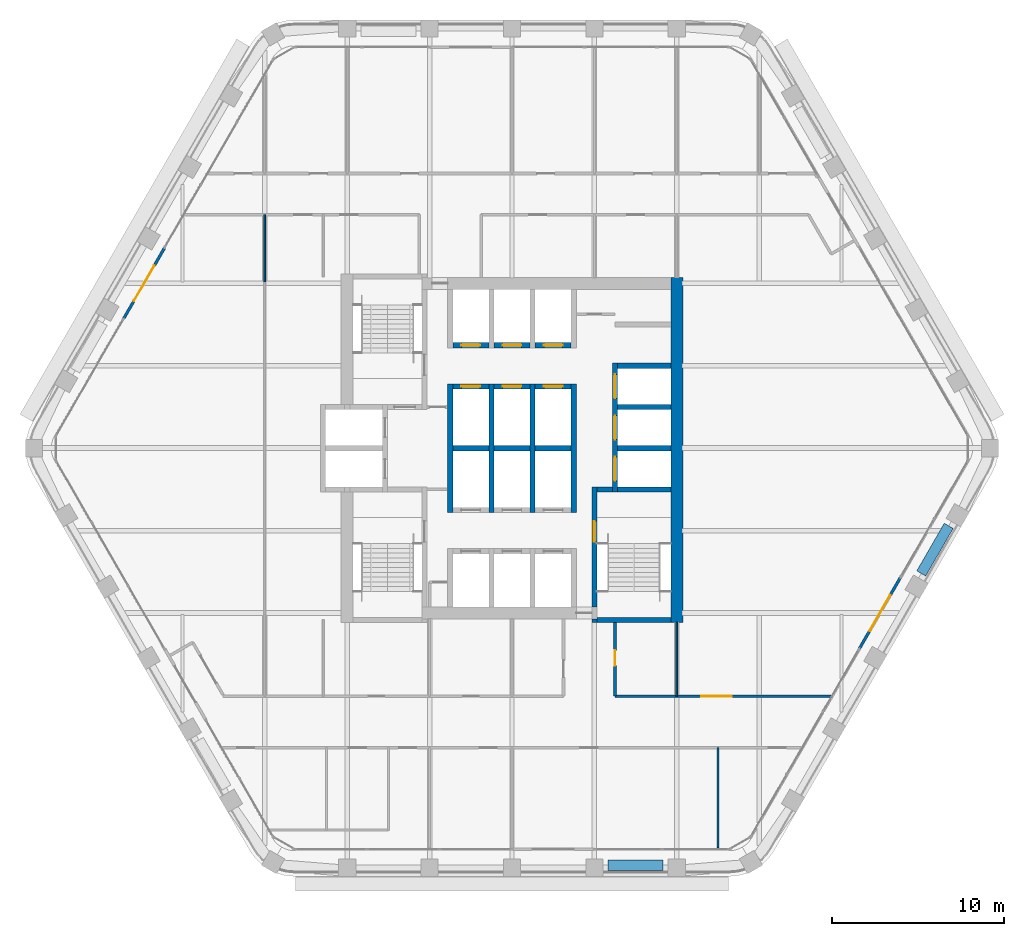
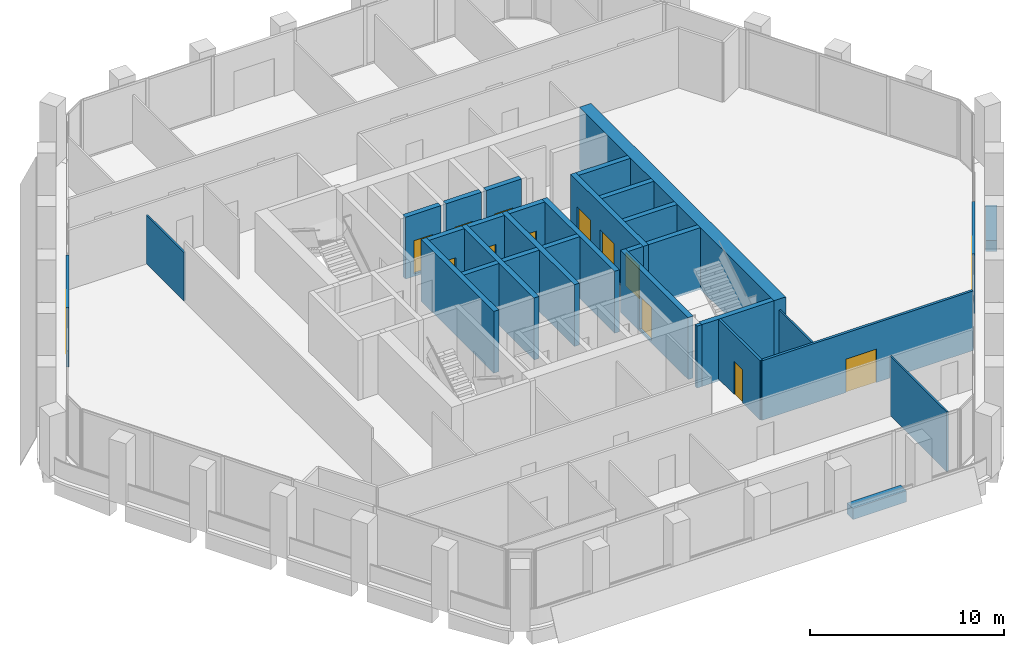
# One storey, part 10 of 15: 32 walls, 14 doors, 14 openings.
"""IFC4 building model written with IfcOpenShell, lengths in metres."""

from ifc_helpers import new_model, si_unit, direction, frame, frame_2d, origin, place, context, subcontext, project, spatial, rectangle, extrude, material, layer, layer_set, type_object, element, fill, save


model = new_model("IFC4")

# Units and contexts
model_context = context("Model", 3, precision=1e-05, world=origin(), true_north=direction((0.0, 1.0)))
body_context = subcontext(model_context, "Body", "Model", "MODEL_VIEW")
ifc_project = project(units=[si_unit("LENGTHUNIT", "METRE"), si_unit("AREAUNIT", "SQUARE_METRE"), si_unit("VOLUMEUNIT", "CUBIC_METRE"), si_unit("PLANEANGLEUNIT", "RADIAN"), si_unit("MASSUNIT", "GRAM", prefix="KILO")], contexts=[model_context])

# Site, building, storey
site_placement = place(None, origin())
site = spatial("IfcSite", under=ifc_project, at=site_placement, CompositionType="ELEMENT")
building_placement = place(site_placement, origin())
building = spatial("IfcBuilding", under=site, at=building_placement, Name="Kolab Exchange Tower", CompositionType="ELEMENT")
storey_placement = place(building_placement, frame((0.0, 0.0, 201.199951171875)))
storey = spatial("IfcBuildingStorey", under=building, at=storey_placement, Name="L43", CompositionType="ELEMENT", Elevation=201.199951171875)

# Wall
ifc_material_1 = material(Name="Concrete C60/75", Category="concrete")
ifc_layer_1 = layer(ifc_material_1, 0.699951171875)
ifc_layer_set_1 = layer_set([ifc_layer_1], Name="Concrete C60/75")
wall_type_1 = type_object("IfcWallType", Name="CORE WALL 700 C60/75", PredefinedType="SHEAR", material=ifc_layer_set_1)
wall_1_placement = place(storey_placement, frame((9.60009765625, -10.14990234375, -0.14990234375), z_axis=(0.0, 0.0, 1.0), x_axis=(0.0, 1.0, 0.0)))
element("IfcWall", 1, at=wall_1_placement, inside=storey, type_object=wall_type_1, Name="wall/L43/core/058", PredefinedType="SHEAR", context=body_context, shape_type="SweptSolid", body=[
    extrude(rectangle(XDim=20.099853515625, YDim=0.699951171875, at=frame_2d((10.0498046875, 0.0))), origin(), (0.0, 0.0, 1.0), 3.89990234375),
])

# Wall, opening, door
ifc_material_2 = material(Name="Aluminium EN AW-6063 T6", Category="aluminium")
ifc_layer_2 = layer(ifc_material_2, 0.159912109375)
ifc_layer_set_2 = layer_set([ifc_layer_2], Name="Aluminium EN AW-6063 T6")
wall_type_2 = type_object("IfcWallType", Name="DOOR SURROUND WALL 160 ALUMINIUM FRAMED", PredefinedType="PARTITIONING", material=ifc_layer_set_2)
wall_2_placement = place(storey_placement, frame((22.61669921875, -7.5498046875, 0.0), z_axis=(0.0, 0.0, 1.0), x_axis=(-0.5000167099, -0.866015756104, 0.0)))
wall_2 = element("IfcWall", 2, at=wall_2_placement, inside=storey, type_object=wall_type_2, Name="Door surround wall", PredefinedType="PARTITIONING", context=body_context, shape_type="SweptSolid", body=[
    extrude(rectangle(XDim=4.739990234375, YDim=0.159912109375, at=frame_2d((2.3701171875, 0.0))), origin(), (0.0, 0.0, 1.0), 3.75),
])
opening_1_placement = place(wall_2_placement, frame((1.169921875, 0.0, 0.0)))
opening_1 = element("IfcOpeningElement", 3, at=opening_1_placement, cuts=wall_2, Name="Opening GD1-066", PredefinedType="OPENING", context=body_context, shape_type="SweptSolid", body=[
    extrude(rectangle(XDim=2.39990234375, YDim=2.39990234375, at=frame_2d((1.199951171875, 1.199951171875))), frame((0.0, 0.08984375, 0.0), z_axis=(0.0, -1.0, 0.0), x_axis=(1.0, 0.0, 0.0)), (0.0, 0.0, 1.0), 0.179931640625),
])
door_type_1 = type_object("IfcDoorType", Name="LOGGIA SLIDING GLASS DOOR 2400 X 2400", OperationType="DOUBLE_DOOR_SINGLE_SWING", PredefinedType="DOOR", material=ifc_material_2)
door_1_placement = place(opening_1_placement, origin())
door_1 = element("IfcDoor", 4, at=door_1_placement, inside=storey, type_object=door_type_1, Name="Loggia door", OperationType="DOUBLE_DOOR_SLIDING", OverallHeight=2.39990234375, OverallWidth=2.39990234375, PredefinedType="DOOR", context=body_context, shape_type="SweptSolid", body=[
    extrude(rectangle(XDim=2.39990234375, YDim=2.39990234375, at=frame_2d((1.199951171875, 1.199951171875))), frame((0.0, 0.02490234375, 0.0), z_axis=(0.0, -1.0, 0.0), x_axis=(1.0, 0.0, 0.0)), (0.0, 0.0, 1.0), 0.050048828125),
])
fill(opening_1, door_1)

wall_3_placement = place(storey_placement, frame((-22.61669921875, 7.5498046875, 0.0), z_axis=(0.0, 0.0, 1.0), x_axis=(0.5000167099, 0.866015756104, 0.0)))
wall_3 = element("IfcWall", 5, at=wall_3_placement, inside=storey, type_object=wall_type_2, Name="Door surround wall", PredefinedType="PARTITIONING", context=body_context, shape_type="SweptSolid", body=[
    extrude(rectangle(XDim=4.739990234375, YDim=0.159912109375, at=frame_2d((2.3701171875, 0.0))), origin(), (0.0, 0.0, 1.0), 3.75),
])
opening_2_placement = place(wall_3_placement, frame((1.169921875, 0.0, 0.0)))
opening_2 = element("IfcOpeningElement", 6, at=opening_2_placement, cuts=wall_3, Name="Opening GD1-069", PredefinedType="OPENING", context=body_context, shape_type="SweptSolid", body=[
    extrude(rectangle(XDim=2.39990234375, YDim=2.39990234375, at=frame_2d((1.199951171875, 1.199951171875))), frame((0.0, 0.08984375, 0.0), z_axis=(0.0, -1.0, 0.0), x_axis=(1.0, 0.0, 0.0)), (0.0, 0.0, 1.0), 0.179931640625),
])
door_2_placement = place(opening_2_placement, origin())
door_2 = element("IfcDoor", 7, at=door_2_placement, inside=storey, type_object=door_type_1, Name="Loggia door", OperationType="DOUBLE_DOOR_SLIDING", OverallHeight=2.39990234375, OverallWidth=2.39990234375, PredefinedType="DOOR", context=body_context, shape_type="SweptSolid", body=[
    extrude(rectangle(XDim=2.39990234375, YDim=2.39990234375, at=frame_2d((1.199951171875, 1.199951171875))), frame((0.0, 0.02490234375, 0.0), z_axis=(0.0, -1.0, 0.0), x_axis=(1.0, 0.0, 0.0)), (0.0, 0.0, 1.0), 0.050048828125),
])
fill(opening_2, door_2)

# Walls
ifc_material_3 = material(Name="Concrete C50/60", Category="concrete")
ifc_layer_3 = layer(ifc_material_3, 0.300048828125)
ifc_layer_set_3 = layer_set([ifc_layer_3], Name="Concrete C50/60")
wall_type_3 = type_object("IfcWallType", Name="LIFT SHAFT WALL 300 C50/60", PredefinedType="STANDARD", material=ifc_layer_set_3)
wall_4_placement = place(storey_placement, frame((-3.449951171875, 0.0, -0.14990234375), z_axis=(0.0, 0.0, 1.0), x_axis=(1.0, 0.0, 0.0)))
element("IfcWall", 8, at=wall_4_placement, inside=storey, type_object=wall_type_3, Name="wall/L43/core/015", PredefinedType="STANDARD", context=body_context, shape_type="SweptSolid", body=[
    extrude(rectangle(XDim=2.099853515625, YDim=0.300048828125, at=frame_2d((1.0498046875, 0.0))), origin(), (0.0, 0.0, 1.0), 3.89990234375),
])
wall_5_placement = place(storey_placement, frame((-1.050048828125, 0.0, -0.14990234375), z_axis=(0.0, 0.0, 1.0), x_axis=(1.0, 0.0, 0.0)))
element("IfcWall", 9, at=wall_5_placement, inside=storey, type_object=wall_type_3, Name="wall/L43/core/016", PredefinedType="STANDARD", context=body_context, shape_type="SweptSolid", body=[
    extrude(rectangle(XDim=2.10009765625, YDim=0.300048828125, at=frame_2d((1.050048828125, 0.0))), origin(), (0.0, 0.0, 1.0), 3.89990234375),
])
wall_6_placement = place(storey_placement, frame((1.35009765625, 0.0, -0.14990234375), z_axis=(0.0, 0.0, 1.0), x_axis=(1.0, 0.0, 0.0)))
element("IfcWall", 10, at=wall_6_placement, inside=storey, type_object=wall_type_3, Name="wall/L43/core/017", PredefinedType="STANDARD", context=body_context, shape_type="SweptSolid", body=[
    extrude(rectangle(XDim=2.099853515625, YDim=0.300048828125, at=frame_2d((1.0498046875, 0.0))), origin(), (0.0, 0.0, 1.0), 3.89990234375),
])
for number, where, z_axis, x_axis, name in (
    (11, (6.14990234375, 0.0, -0.14990234375), (0.0, 0.0, 1.0), (1.0, 0.0, 0.0), "wall/L43/core/018"),
    (12, (6.14990234375, 2.39990234375, -0.14990234375), (0.0, 0.0, 1.0), (1.0, 0.0, 0.0), "wall/L43/core/022"),
):
    element("IfcWall", number, at=place(storey_placement, frame(where, z_axis=z_axis, x_axis=x_axis)), inside=storey, type_object=wall_type_3, Name=name, PredefinedType="STANDARD", context=body_context, shape_type="SweptSolid", body=[
        extrude(rectangle(XDim=3.10009765625, YDim=0.300048828125, at=frame_2d((1.550048828125, 0.0))), origin(), (0.0, 0.0, 1.0), 3.89990234375),
    ])

# Wall, opening, door
wall_7_placement = place(storey_placement, frame((-3.449951171875, 3.60009765625, -0.14990234375), z_axis=(0.0, 0.0, 1.0), x_axis=(1.0, 0.0, 0.0)))
wall_7 = element("IfcWall", 13, at=wall_7_placement, inside=storey, type_object=wall_type_3, Name="wall/L43/core/023", PredefinedType="STANDARD", context=body_context, shape_type="SweptSolid", body=[
    extrude(rectangle(XDim=2.099853515625, YDim=0.300048828125, at=frame_2d((1.0498046875, 0.0))), origin(), (0.0, 0.0, 1.0), 3.89990234375),
])
opening_3_placement = place(wall_7_placement, frame((0.5, 0.0, 0.14990234375)))
opening_3 = element("IfcOpeningElement", 14, at=opening_3_placement, cuts=wall_7, Name="Opening LD1-115", PredefinedType="OPENING", context=body_context, shape_type="SweptSolid", body=[
    extrude(rectangle(XDim=1.10009765625, YDim=2.10009765625, at=frame_2d((0.550048828125, 1.050048828125))), frame((0.0, 0.16015625, 0.0), z_axis=(0.0, -1.0, 0.0), x_axis=(1.0, 0.0, 0.0)), (0.0, 0.0, 1.0), 0.320068359375),
])
ifc_material_4 = material(Name="Stainless steel 316", Category="steel")
door_type_2 = type_object("IfcDoorType", Name="LANDING DOOR 1100 PASSENGER", OperationType="DOUBLE_DOOR_SLIDING", PredefinedType="DOOR", material=ifc_material_4)
door_3_placement = place(opening_3_placement, origin())
door_3 = element("IfcDoor", 15, at=door_3_placement, inside=storey, type_object=door_type_2, Name="Landing door HR4", OperationType="DOUBLE_DOOR_SLIDING", OverallHeight=2.10009765625, OverallWidth=1.10009765625, PredefinedType="DOOR", context=body_context, shape_type="SweptSolid", body=[
    extrude(rectangle(XDim=1.10009765625, YDim=2.10009765625, at=frame_2d((0.550048828125, 1.050048828125))), frame((0.0, 0.02490234375, 0.0), z_axis=(0.0, -1.0, 0.0), x_axis=(1.0, 0.0, 0.0)), (0.0, 0.0, 1.0), 0.050048828125),
])
fill(opening_3, door_3)

wall_8_placement = place(storey_placement, frame((-1.050048828125, 3.60009765625, -0.14990234375), z_axis=(0.0, 0.0, 1.0), x_axis=(1.0, 0.0, 0.0)))
wall_8 = element("IfcWall", 16, at=wall_8_placement, inside=storey, type_object=wall_type_3, Name="wall/L43/core/024", PredefinedType="STANDARD", context=body_context, shape_type="SweptSolid", body=[
    extrude(rectangle(XDim=2.10009765625, YDim=0.300048828125, at=frame_2d((1.050048828125, 0.0))), origin(), (0.0, 0.0, 1.0), 3.89990234375),
])
opening_4_placement = place(wall_8_placement, frame((0.5, 0.0, 0.14990234375)))
opening_4 = element("IfcOpeningElement", 17, at=opening_4_placement, cuts=wall_8, Name="Opening LD1-116", PredefinedType="OPENING", context=body_context, shape_type="SweptSolid", body=[
    extrude(rectangle(XDim=1.10009765625, YDim=2.10009765625, at=frame_2d((0.550048828125, 1.050048828125))), frame((0.0, 0.16015625, 0.0), z_axis=(0.0, -1.0, 0.0), x_axis=(1.0, 0.0, 0.0)), (0.0, 0.0, 1.0), 0.320068359375),
])
door_4_placement = place(opening_4_placement, origin())
door_4 = element("IfcDoor", 18, at=door_4_placement, inside=storey, type_object=door_type_2, Name="Landing door HR5", OperationType="DOUBLE_DOOR_SLIDING", OverallHeight=2.10009765625, OverallWidth=1.10009765625, PredefinedType="DOOR", context=body_context, shape_type="SweptSolid", body=[
    extrude(rectangle(XDim=1.10009765625, YDim=2.10009765625, at=frame_2d((0.550048828125, 1.050048828125))), frame((0.0, 0.02490234375, 0.0), z_axis=(0.0, -1.0, 0.0), x_axis=(1.0, 0.0, 0.0)), (0.0, 0.0, 1.0), 0.050048828125),
])
fill(opening_4, door_4)

wall_9_placement = place(storey_placement, frame((1.35009765625, 3.60009765625, -0.14990234375), z_axis=(0.0, 0.0, 1.0), x_axis=(1.0, 0.0, 0.0)))
wall_9 = element("IfcWall", 19, at=wall_9_placement, inside=storey, type_object=wall_type_3, Name="wall/L43/core/025", PredefinedType="STANDARD", context=body_context, shape_type="SweptSolid", body=[
    extrude(rectangle(XDim=2.099853515625, YDim=0.300048828125, at=frame_2d((1.0498046875, 0.0))), origin(), (0.0, 0.0, 1.0), 3.89990234375),
])
opening_5_placement = place(wall_9_placement, frame((0.5, 0.0, 0.14990234375)))
opening_5 = element("IfcOpeningElement", 20, at=opening_5_placement, cuts=wall_9, Name="Opening LD1-117", PredefinedType="OPENING", context=body_context, shape_type="SweptSolid", body=[
    extrude(rectangle(XDim=1.10009765625, YDim=2.10009765625, at=frame_2d((0.550048828125, 1.050048828125))), frame((0.0, 0.16015625, 0.0), z_axis=(0.0, -1.0, 0.0), x_axis=(1.0, 0.0, 0.0)), (0.0, 0.0, 1.0), 0.320068359375),
])
door_5_placement = place(opening_5_placement, origin())
door_5 = element("IfcDoor", 21, at=door_5_placement, inside=storey, type_object=door_type_2, Name="Landing door HR6", OperationType="DOUBLE_DOOR_SLIDING", OverallHeight=2.10009765625, OverallWidth=1.10009765625, PredefinedType="DOOR", context=body_context, shape_type="SweptSolid", body=[
    extrude(rectangle(XDim=1.10009765625, YDim=2.10009765625, at=frame_2d((0.550048828125, 1.050048828125))), frame((0.0, 0.02490234375, 0.0), z_axis=(0.0, -1.0, 0.0), x_axis=(1.0, 0.0, 0.0)), (0.0, 0.0, 1.0), 0.050048828125),
])
fill(opening_5, door_5)

# Wall
wall_10_placement = place(storey_placement, frame((6.14990234375, 4.800048828125, -0.14990234375), z_axis=(0.0, 0.0, 1.0), x_axis=(1.0, 0.0, 0.0)))
element("IfcWall", 22, at=wall_10_placement, inside=storey, type_object=wall_type_3, Name="wall/L43/core/026", PredefinedType="STANDARD", context=body_context, shape_type="SweptSolid", body=[
    extrude(rectangle(XDim=3.10009765625, YDim=0.300048828125, at=frame_2d((1.550048828125, 0.0))), origin(), (0.0, 0.0, 1.0), 3.89990234375),
])

# Wall, opening, door
wall_11_placement = place(storey_placement, frame((-3.449951171875, 6.0, -0.14990234375), z_axis=(0.0, 0.0, 1.0), x_axis=(1.0, 0.0, 0.0)))
wall_11 = element("IfcWall", 23, at=wall_11_placement, inside=storey, type_object=wall_type_3, Name="wall/L43/core/027", PredefinedType="STANDARD", context=body_context, shape_type="SweptSolid", body=[
    extrude(rectangle(XDim=2.099853515625, YDim=0.300048828125, at=frame_2d((1.0498046875, 0.0))), origin(), (0.0, 0.0, 1.0), 3.89990234375),
])
opening_6_placement = place(wall_11_placement, frame((0.5, 0.0, 0.14990234375)))
opening_6 = element("IfcOpeningElement", 24, at=opening_6_placement, cuts=wall_11, Name="Opening LD1-109", PredefinedType="OPENING", context=body_context, shape_type="SweptSolid", body=[
    extrude(rectangle(XDim=1.10009765625, YDim=2.10009765625, at=frame_2d((0.550048828125, 1.050048828125))), frame((0.0, 0.16015625, 0.0), z_axis=(0.0, -1.0, 0.0), x_axis=(1.0, 0.0, 0.0)), (0.0, 0.0, 1.0), 0.320068359375),
])
door_6_placement = place(opening_6_placement, origin())
door_6 = element("IfcDoor", 25, at=door_6_placement, inside=storey, type_object=door_type_2, Name="Landing door HR1", OperationType="DOUBLE_DOOR_SLIDING", OverallHeight=2.10009765625, OverallWidth=1.10009765625, PredefinedType="DOOR", context=body_context, shape_type="SweptSolid", body=[
    extrude(rectangle(XDim=1.10009765625, YDim=2.10009765625, at=frame_2d((0.550048828125, 1.050048828125))), frame((0.0, 0.02490234375, 0.0), z_axis=(0.0, -1.0, 0.0), x_axis=(1.0, 0.0, 0.0)), (0.0, 0.0, 1.0), 0.050048828125),
])
fill(opening_6, door_6)

wall_12_placement = place(storey_placement, frame((-1.050048828125, 6.0, -0.14990234375), z_axis=(0.0, 0.0, 1.0), x_axis=(1.0, 0.0, 0.0)))
wall_12 = element("IfcWall", 26, at=wall_12_placement, inside=storey, type_object=wall_type_3, Name="wall/L43/core/028", PredefinedType="STANDARD", context=body_context, shape_type="SweptSolid", body=[
    extrude(rectangle(XDim=2.10009765625, YDim=0.300048828125, at=frame_2d((1.050048828125, 0.0))), origin(), (0.0, 0.0, 1.0), 3.89990234375),
])
opening_7_placement = place(wall_12_placement, frame((0.5, 0.0, 0.14990234375)))
opening_7 = element("IfcOpeningElement", 27, at=opening_7_placement, cuts=wall_12, Name="Opening LD1-113", PredefinedType="OPENING", context=body_context, shape_type="SweptSolid", body=[
    extrude(rectangle(XDim=1.10009765625, YDim=2.10009765625, at=frame_2d((0.550048828125, 1.050048828125))), frame((0.0, 0.16015625, 0.0), z_axis=(0.0, -1.0, 0.0), x_axis=(1.0, 0.0, 0.0)), (0.0, 0.0, 1.0), 0.320068359375),
])
door_7_placement = place(opening_7_placement, origin())
door_7 = element("IfcDoor", 28, at=door_7_placement, inside=storey, type_object=door_type_2, Name="Landing door HR2", OperationType="DOUBLE_DOOR_SLIDING", OverallHeight=2.10009765625, OverallWidth=1.10009765625, PredefinedType="DOOR", context=body_context, shape_type="SweptSolid", body=[
    extrude(rectangle(XDim=1.10009765625, YDim=2.10009765625, at=frame_2d((0.550048828125, 1.050048828125))), frame((0.0, 0.02490234375, 0.0), z_axis=(0.0, -1.0, 0.0), x_axis=(1.0, 0.0, 0.0)), (0.0, 0.0, 1.0), 0.050048828125),
])
fill(opening_7, door_7)

wall_13_placement = place(storey_placement, frame((1.35009765625, 6.0, -0.14990234375), z_axis=(0.0, 0.0, 1.0), x_axis=(1.0, 0.0, 0.0)))
wall_13 = element("IfcWall", 29, at=wall_13_placement, inside=storey, type_object=wall_type_3, Name="wall/L43/core/029", PredefinedType="STANDARD", context=body_context, shape_type="SweptSolid", body=[
    extrude(rectangle(XDim=2.099853515625, YDim=0.300048828125, at=frame_2d((1.0498046875, 0.0))), origin(), (0.0, 0.0, 1.0), 3.89990234375),
])
opening_8_placement = place(wall_13_placement, frame((0.5, 0.0, 0.14990234375)))
opening_8 = element("IfcOpeningElement", 30, at=opening_8_placement, cuts=wall_13, Name="Opening LD1-114", PredefinedType="OPENING", context=body_context, shape_type="SweptSolid", body=[
    extrude(rectangle(XDim=1.10009765625, YDim=2.10009765625, at=frame_2d((0.550048828125, 1.050048828125))), frame((0.0, 0.16015625, 0.0), z_axis=(0.0, -1.0, 0.0), x_axis=(1.0, 0.0, 0.0)), (0.0, 0.0, 1.0), 0.320068359375),
])
door_8_placement = place(opening_8_placement, origin())
door_8 = element("IfcDoor", 31, at=door_8_placement, inside=storey, type_object=door_type_2, Name="Landing door HR3", OperationType="DOUBLE_DOOR_SLIDING", OverallHeight=2.10009765625, OverallWidth=1.10009765625, PredefinedType="DOOR", context=body_context, shape_type="SweptSolid", body=[
    extrude(rectangle(XDim=1.10009765625, YDim=2.10009765625, at=frame_2d((0.550048828125, 1.050048828125))), frame((0.0, 0.02490234375, 0.0), z_axis=(0.0, -1.0, 0.0), x_axis=(1.0, 0.0, 0.0)), (0.0, 0.0, 1.0), 0.050048828125),
])
fill(opening_8, door_8)

# Walls
for number, where, z_axis, x_axis, name in (
    (32, (-3.60009765625, -3.75, -0.14990234375), (0.0, 0.0, 1.0), (0.0, 1.0, 0.0), "wall/L43/core/044"),
    (33, (-1.199951171875, -3.75, -0.14990234375), (0.0, 0.0, 1.0), (0.0, 1.0, 0.0), "wall/L43/core/047"),
    (34, (1.199951171875, -3.75, -0.14990234375), (0.0, 0.0, 1.0), (0.0, 1.0, 0.0), "wall/L43/core/050"),
    (35, (3.60009765625, -3.75, -0.14990234375), (0.0, 0.0, 1.0), (0.0, 1.0, 0.0), "wall/L43/core/053"),
):
    element("IfcWall", number, at=place(storey_placement, frame(where, z_axis=z_axis, x_axis=x_axis)), inside=storey, type_object=wall_type_3, Name=name, PredefinedType="STANDARD", context=body_context, shape_type="SweptSolid", body=[
        extrude(rectangle(XDim=7.5, YDim=0.300048828125, at=frame_2d((3.75, 0.0))), origin(), (0.0, 0.0, 1.0), 3.89990234375),
    ])

# Wall, openings, doors
wall_14_placement = place(storey_placement, frame((6.0, -2.550048828125, -0.14990234375), z_axis=(0.0, 0.0, 1.0), x_axis=(0.0, 1.0, 0.0)))
wall_14 = element("IfcWall", 36, at=wall_14_placement, inside=storey, type_object=wall_type_3, Name="wall/L43/core/057", PredefinedType="STANDARD", context=body_context, shape_type="SweptSolid", body=[
    extrude(rectangle(XDim=7.5, YDim=0.300048828125, at=frame_2d((3.75, 0.0))), origin(), (0.0, 0.0, 1.0), 3.89990234375),
])
opening_9_placement = place(wall_14_placement, frame((0.64990234375, 0.0, 0.14990234375)))
opening_9 = element("IfcOpeningElement", 37, at=opening_9_placement, cuts=wall_14, Name="Opening LD3-037", PredefinedType="OPENING", context=body_context, shape_type="SweptSolid", body=[
    extrude(rectangle(XDim=1.39990234375, YDim=2.10009765625, at=frame_2d((0.699951171875, 1.050048828125))), frame((0.0, 0.16015625, 0.0), z_axis=(0.0, -1.0, 0.0), x_axis=(1.0, 0.0, 0.0)), (0.0, 0.0, 1.0), 0.320068359375),
])
opening_10_placement = place(wall_14_placement, frame((3.050048828125, 0.0, 0.14990234375)))
opening_10 = element("IfcOpeningElement", 38, at=opening_10_placement, cuts=wall_14, Name="Opening LD3-038", PredefinedType="OPENING", context=body_context, shape_type="SweptSolid", body=[
    extrude(rectangle(XDim=1.39990234375, YDim=2.10009765625, at=frame_2d((0.699951171875, 1.050048828125))), frame((0.0, 0.16015625, 0.0), z_axis=(0.0, -1.0, 0.0), x_axis=(1.0, 0.0, 0.0)), (0.0, 0.0, 1.0), 0.320068359375),
])
opening_11_placement = place(wall_14_placement, frame((5.449951171875, 0.0, 0.14990234375)))
opening_11 = element("IfcOpeningElement", 39, at=opening_11_placement, cuts=wall_14, Name="Opening LD3-039", PredefinedType="OPENING", context=body_context, shape_type="SweptSolid", body=[
    extrude(rectangle(XDim=1.39990234375, YDim=2.10009765625, at=frame_2d((0.699951171875, 1.050048828125))), frame((0.0, 0.16015625, 0.0), z_axis=(0.0, -1.0, 0.0), x_axis=(1.0, 0.0, 0.0)), (0.0, 0.0, 1.0), 0.320068359375),
])
door_type_3 = type_object("IfcDoorType", Name="LANDING DOOR 1400 SERVICE", OperationType="DOUBLE_DOOR_SLIDING", PredefinedType="DOOR", material=ifc_material_4)
door_9_placement = place(opening_9_placement, origin())
door_9 = element("IfcDoor", 40, at=door_9_placement, inside=storey, type_object=door_type_3, Name="Landing door SV1", OperationType="DOUBLE_DOOR_SLIDING", OverallHeight=2.10009765625, OverallWidth=1.39990234375, PredefinedType="DOOR", context=body_context, shape_type="SweptSolid", body=[
    extrude(rectangle(XDim=1.39990234375, YDim=2.10009765625, at=frame_2d((0.699951171875, 1.050048828125))), frame((0.0, 0.02490234375, 0.0), z_axis=(0.0, -1.0, 0.0), x_axis=(1.0, 0.0, 0.0)), (0.0, 0.0, 1.0), 0.050048828125),
])
fill(opening_9, door_9)
door_10_placement = place(opening_10_placement, origin())
door_10 = element("IfcDoor", 41, at=door_10_placement, inside=storey, type_object=door_type_3, Name="Landing door SV2", OperationType="DOUBLE_DOOR_SLIDING", OverallHeight=2.10009765625, OverallWidth=1.39990234375, PredefinedType="DOOR", context=body_context, shape_type="SweptSolid", body=[
    extrude(rectangle(XDim=1.39990234375, YDim=2.10009765625, at=frame_2d((0.699951171875, 1.050048828125))), frame((0.0, 0.02490234375, 0.0), z_axis=(0.0, -1.0, 0.0), x_axis=(1.0, 0.0, 0.0)), (0.0, 0.0, 1.0), 0.050048828125),
])
fill(opening_10, door_10)
door_11_placement = place(opening_11_placement, origin())
door_11 = element("IfcDoor", 42, at=door_11_placement, inside=storey, type_object=door_type_3, Name="Landing door SV3", OperationType="DOUBLE_DOOR_SLIDING", OverallHeight=2.10009765625, OverallWidth=1.39990234375, PredefinedType="DOOR", context=body_context, shape_type="SweptSolid", body=[
    extrude(rectangle(XDim=1.39990234375, YDim=2.10009765625, at=frame_2d((0.699951171875, 1.050048828125))), frame((0.0, 0.02490234375, 0.0), z_axis=(0.0, -1.0, 0.0), x_axis=(1.0, 0.0, 0.0)), (0.0, 0.0, 1.0), 0.050048828125),
])
fill(opening_11, door_11)

# Walls
ifc_material_5 = material(Name="Gypsum board", Category="gypsum")
ifc_layer_4 = layer(ifc_material_5, 0.10009765625)
ifc_layer_set_4 = layer_set([ifc_layer_4], Name="Gypsum board")
wall_type_4 = type_object("IfcWallType", Name="PARTITION 100", PredefinedType="PARTITIONING", material=ifc_layer_set_4)
wall_15_placement = place(storey_placement, frame((12.0, -23.271484375, 0.0), z_axis=(0.0, 0.0, 1.0), x_axis=(0.0, 1.0, 0.0)))
element("IfcWall", 43, at=wall_15_placement, inside=storey, type_object=wall_type_4, Name="Partition 001", PredefinedType="PARTITIONING", context=body_context, shape_type="SweptSolid", body=[
    extrude(rectangle(XDim=5.830078125, YDim=0.10009765625, at=frame_2d((2.9150390625, 0.0))), origin(), (0.0, 0.0, 1.0), 3.75),
])
wall_16_placement = place(storey_placement, frame((9.60009765625, -14.44140625, 0.0), z_axis=(0.0, 0.0, 1.0), x_axis=(0.0, 1.0, 0.0)))
element("IfcWall", 44, at=wall_16_placement, inside=storey, type_object=wall_type_4, Name="Partition 002", PredefinedType="PARTITIONING", context=body_context, shape_type="SweptSolid", body=[
    extrude(rectangle(XDim=4.29150390625, YDim=0.10009765625, at=frame_2d((2.145751953125, 0.0))), origin(), (0.0, 0.0, 1.0), 3.066162109375),
])
wall_17_placement = place(storey_placement, frame((-14.39990234375, 9.693603515625, 0.0), z_axis=(0.0, 0.0, 1.0), x_axis=(0.0, 1.0, 0.0)))
element("IfcWall", 45, at=wall_17_placement, inside=storey, type_object=wall_type_4, Name="Partition 022", PredefinedType="PARTITIONING", context=body_context, shape_type="SweptSolid", body=[
    extrude(rectangle(XDim=3.906494140625, YDim=0.10009765625, at=frame_2d((1.953125, 0.0))), origin(), (0.0, 0.0, 1.0), 3.066162109375),
])

# Wall, opening, door
ifc_layer_5 = layer(ifc_material_5, 0.14990234375)
ifc_layer_set_5 = layer_set([ifc_layer_5], Name="Gypsum board")
wall_type_5 = type_object("IfcWallType", Name="PARTITION 150 FIRE-RATED", PredefinedType="PARTITIONING", material=ifc_layer_set_5)
wall_18_placement = place(storey_placement, frame((6.0, -14.44140625, 0.0), z_axis=(0.0, 0.0, 1.0), x_axis=(0.0, 1.0, 0.0)))
wall_18 = element("IfcWall", 46, at=wall_18_placement, inside=storey, type_object=wall_type_5, Name="Partition 005", PredefinedType="PARTITIONING", context=body_context, shape_type="SweptSolid", body=[
    extrude(rectangle(XDim=4.29150390625, YDim=0.14990234375, at=frame_2d((2.145751953125, 0.0))), origin(), (0.0, 0.0, 1.0), 3.75),
])
opening_12_placement = place(wall_18_placement, frame((1.770751953125, 0.0, 0.0)))
opening_12 = element("IfcOpeningElement", 47, at=opening_12_placement, cuts=wall_18, Name="Opening D3-063", PredefinedType="OPENING", context=body_context, shape_type="SweptSolid", body=[
    extrude(rectangle(XDim=0.89990234375, YDim=2.10009765625, at=frame_2d((0.449951171875, 1.050048828125))), frame((0.0, 0.0849609375, 0.0), z_axis=(0.0, -1.0, 0.0), x_axis=(1.0, 0.0, 0.0)), (0.0, 0.0, 1.0), 0.169921875),
])
ifc_material_6 = material(Name="Steel S235", Category="steel")
door_type_4 = type_object("IfcDoorType", Name="FLUSH DOOR 900 FD60", OperationType="SINGLE_SWING_LEFT", PredefinedType="DOOR", material=ifc_material_6)
door_12_placement = place(opening_12_placement, frame((0.89990234375, 0.0, 0.0), z_axis=(0.0, 0.0, 1.0), x_axis=(-1.0, 0.0, 0.0)))
door_12 = element("IfcDoor", 48, at=door_12_placement, inside=storey, type_object=door_type_4, Name="Door L43-034", OperationType="SINGLE_SWING_RIGHT", OverallHeight=2.10009765625, OverallWidth=0.89990234375, PredefinedType="DOOR", context=body_context, shape_type="SweptSolid", body=[
    extrude(rectangle(XDim=0.89990234375, YDim=2.10009765625, at=frame_2d((0.449951171875, 1.050048828125))), frame((0.0, 0.02490234375, 0.0), z_axis=(0.0, -1.0, 0.0), x_axis=(1.0, 0.0, 0.0)), (0.0, 0.0, 1.0), 0.050048828125),
])
fill(opening_12, door_12)

wall_19_placement = place(storey_placement, frame((6.0, -14.44140625, 0.0), z_axis=(0.0, 0.0, 1.0), x_axis=(1.0, 0.0, 0.0)))
wall_19 = element("IfcWall", 49, at=wall_19_placement, inside=storey, type_object=wall_type_5, Name="Partition 031", PredefinedType="PARTITIONING", context=body_context, shape_type="SweptSolid", body=[
    extrude(rectangle(XDim=12.591552734375, YDim=0.14990234375, at=frame_2d((6.2958984375, 0.0))), origin(), (0.0, 0.0, 1.0), 3.75),
])
opening_13_placement = place(wall_19_placement, frame((5.014404296875, 0.0, 0.0)))
opening_13 = element("IfcOpeningElement", 50, at=opening_13_placement, cuts=wall_19, Name="Opening D2-059", PredefinedType="OPENING", context=body_context, shape_type="SweptSolid", body=[
    extrude(rectangle(XDim=1.800048828125, YDim=2.10009765625, at=frame_2d((0.89990234375, 1.050048828125))), frame((0.0, 0.0849609375, 0.0), z_axis=(0.0, -1.0, 0.0), x_axis=(1.0, 0.0, 0.0)), (0.0, 0.0, 1.0), 0.169921875),
])
door_type_5 = type_object("IfcDoorType", Name="DOUBLE DOOR 1800 FD60", OperationType="DOUBLE_DOOR_SINGLE_SWING", PredefinedType="DOOR", material=ifc_material_6)
door_13_placement = place(opening_13_placement, origin())
door_13 = element("IfcDoor", 51, at=door_13_placement, inside=storey, type_object=door_type_5, Name="Door L43-051", OperationType="SINGLE_SWING_LEFT", OverallHeight=2.10009765625, OverallWidth=1.800048828125, PredefinedType="DOOR", context=body_context, shape_type="SweptSolid", body=[
    extrude(rectangle(XDim=1.800048828125, YDim=2.10009765625, at=frame_2d((0.89990234375, 1.050048828125))), frame((0.0, 0.02490234375, 0.0), z_axis=(0.0, -1.0, 0.0), x_axis=(1.0, 0.0, 0.0)), (0.0, 0.0, 1.0), 0.050048828125),
])
fill(opening_13, door_13)

# Walls
ifc_material_7 = material(Name="Granite facing", Category="masonry")
ifc_layer_6 = layer(ifc_material_7, 0.0400390625)
ifc_material_8 = material(Name="Concrete C40/50 precast", Category="concrete")
ifc_layer_7 = layer(ifc_material_8, 0.56005859375)
ifc_layer_set_6 = layer_set([ifc_layer_6, ifc_layer_7], Name="Concrete C40/50 precast")
wall_type_6 = type_object("IfcWallType", Name="PLANTER BOX 600 X 700 SOIL DEPTH 550", PredefinedType="USERDEFINED", material=ifc_layer_set_6)
wall_20_placement = place(storey_placement, frame((25.43701171875, -4.524658203125, 0.0), z_axis=(0.0, 0.0, 1.0), x_axis=(-0.499938187974, -0.866061088033, 0.0)))
element("IfcWall", 52, at=wall_20_placement, inside=storey, type_object=wall_type_6, Name="Planter", ObjectType="PLANTER", PredefinedType="USERDEFINED", context=body_context, shape_type="SweptSolid", body=[
    extrude(rectangle(XDim=3.2001953125, YDim=0.60009765625, at=frame_2d((1.60009765625, 0.0))), origin(), (0.0, 0.0, 1.0), 0.699951171875),
])
wall_21_placement = place(storey_placement, frame((8.800048828125, -24.29150390625, 0.0), z_axis=(0.0, 0.0, 1.0), x_axis=(-1.0, 0.0, 0.0)))
element("IfcWall", 53, at=wall_21_placement, inside=storey, type_object=wall_type_6, Name="Planter", ObjectType="PLANTER", PredefinedType="USERDEFINED", context=body_context, shape_type="SweptSolid", body=[
    extrude(rectangle(XDim=3.199951171875, YDim=0.60009765625, at=frame_2d((1.60009765625, 0.0))), origin(), (0.0, 0.0, 1.0), 0.699951171875),
])
ifc_layer_8 = layer(ifc_material_3, 0.300048828125)
ifc_layer_set_7 = layer_set([ifc_layer_8], Name="Concrete C50/60")
wall_type_7 = type_object("IfcWallType", Name="STAIR ENCLOSURE WALL 300 C50/60", PredefinedType="STANDARD", material=ifc_layer_set_7)
wall_22_placement = place(storey_placement, frame((4.949951171875, -10.0, -0.14990234375), z_axis=(0.0, 0.0, 1.0), x_axis=(1.0, 0.0, 0.0)))
element("IfcWall", 54, at=wall_22_placement, inside=storey, type_object=wall_type_7, Name="wall/L43/core/001", PredefinedType="STANDARD", context=body_context, shape_type="SweptSolid", body=[
    extrude(rectangle(XDim=4.300048828125, YDim=0.300048828125, at=frame_2d((2.14990234375, 0.0))), origin(), (0.0, 0.0, 1.0), 3.89990234375),
])
wall_23_placement = place(storey_placement, frame((4.949951171875, -2.39990234375, -0.14990234375), z_axis=(0.0, 0.0, 1.0), x_axis=(1.0, 0.0, 0.0)))
element("IfcWall", 55, at=wall_23_placement, inside=storey, type_object=wall_type_7, Name="wall/L43/core/012", PredefinedType="STANDARD", context=body_context, shape_type="SweptSolid", body=[
    extrude(rectangle(XDim=0.900146484375, YDim=0.300048828125, at=frame_2d((0.4501953125, 0.0))), origin(), (0.0, 0.0, 1.0), 3.89990234375),
])
wall_24_placement = place(storey_placement, frame((6.14990234375, -2.39990234375, -0.14990234375), z_axis=(0.0, 0.0, 1.0), x_axis=(1.0, 0.0, 0.0)))
element("IfcWall", 56, at=wall_24_placement, inside=storey, type_object=wall_type_7, Name="wall/L43/core/013", PredefinedType="STANDARD", context=body_context, shape_type="SweptSolid", body=[
    extrude(rectangle(XDim=3.10009765625, YDim=0.300048828125, at=frame_2d((1.550048828125, 0.0))), origin(), (0.0, 0.0, 1.0), 3.89990234375),
])
wall_25_placement = place(storey_placement, frame((4.800048828125, -10.14990234375, -0.14990234375), z_axis=(0.0, 0.0, 1.0), x_axis=(0.0, 1.0, 0.0)))
element("IfcWall", 57, at=wall_25_placement, inside=storey, type_object=wall_type_7, Name="wall/L43/core/055", PredefinedType="STANDARD", context=body_context, shape_type="SweptSolid", body=[
    extrude(rectangle(XDim=0.199951171875, YDim=0.300048828125, at=frame_2d((0.10009765625, 0.0))), origin(), (0.0, 0.0, 1.0), 3.89990234375),
])

# Wall, opening, door
wall_26_placement = place(storey_placement, frame((4.800048828125, -9.25, -0.14990234375), z_axis=(0.0, 0.0, 1.0), x_axis=(0.0, 1.0, 0.0)))
wall_26 = element("IfcWall", 58, at=wall_26_placement, inside=storey, type_object=wall_type_7, Name="wall/L43/core/056", PredefinedType="STANDARD", context=body_context, shape_type="SweptSolid", body=[
    extrude(rectangle(XDim=7.0, YDim=0.300048828125, at=frame_2d((3.5, 0.0))), origin(), (0.0, 0.0, 1.0), 3.89990234375),
])
opening_14_placement = place(wall_26_placement, frame((3.800048828125, 0.0, 0.14990234375)))
opening_14 = element("IfcOpeningElement", 59, at=opening_14_placement, cuts=wall_26, Name="Opening D4-067", PredefinedType="OPENING", context=body_context, shape_type="SweptSolid", body=[
    extrude(rectangle(XDim=1.199951171875, YDim=2.10009765625, at=frame_2d((0.60009765625, 1.050048828125))), frame((0.0, 0.16015625, 0.0), z_axis=(0.0, -1.0, 0.0), x_axis=(1.0, 0.0, 0.0)), (0.0, 0.0, 1.0), 0.320068359375),
])
door_type_6 = type_object("IfcDoorType", Name="STAIR DOOR 1200 EI 120", OperationType="SINGLE_SWING_LEFT", PredefinedType="DOOR", material=ifc_material_6)
door_14_placement = place(opening_14_placement, frame((1.199951171875, 0.0, 0.0), z_axis=(0.0, 0.0, 1.0), x_axis=(-1.0, 0.0, 0.0)))
door_14 = element("IfcDoor", 60, at=door_14_placement, inside=storey, type_object=door_type_6, Name="Stair 2 door", OperationType="SINGLE_SWING_RIGHT", OverallHeight=2.10009765625, OverallWidth=1.199951171875, PredefinedType="DOOR", context=body_context, shape_type="SweptSolid", body=[
    extrude(rectangle(XDim=1.199951171875, YDim=2.10009765625, at=frame_2d((0.60009765625, 1.050048828125))), frame((0.0, 0.02490234375, 0.0), z_axis=(0.0, -1.0, 0.0), x_axis=(1.0, 0.0, 0.0)), (0.0, 0.0, 1.0), 0.050048828125),
])
fill(opening_14, door_14)

save(model, "model.ifc")
